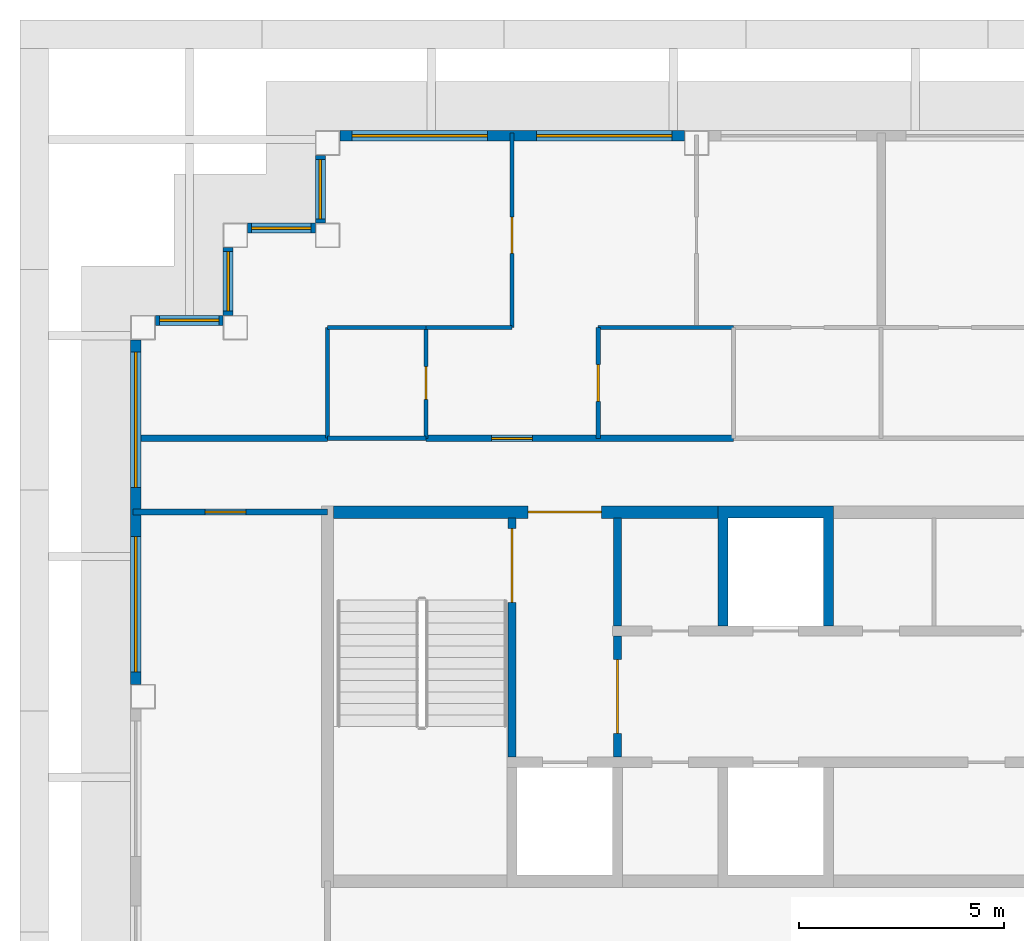
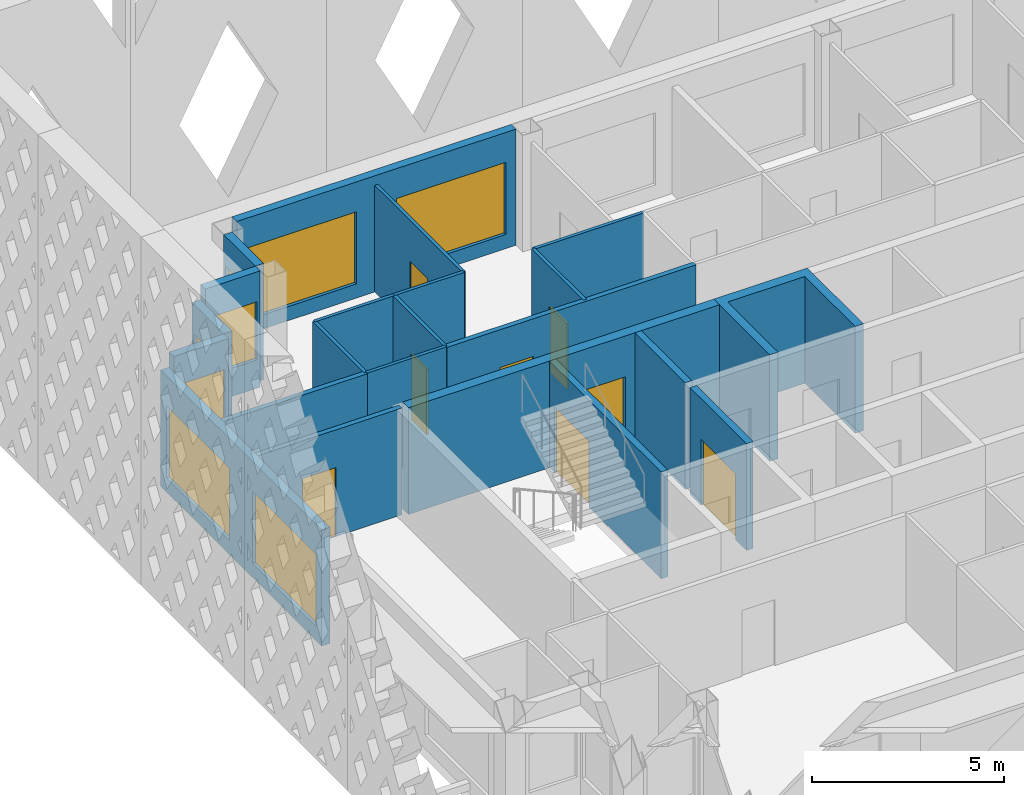
# One storey, part 3 of 13: 22 walls, 8 doors, 8 windows, 16 openings.
"""IFC4 building model written with IfcOpenShell, lengths in metres."""

from ifc_helpers import new_model, si_unit, direction, frame, frame_2d, origin, place, context, subcontext, project, spatial, polyline, rectangle, outline, extrude, material, layer, layer_set, type_object, element, fill, save


model = new_model("IFC4")

# Units and contexts
model_context = context("Model", 3, precision=1e-05, world=origin(), true_north=direction((0.0, 1.0)))
body_context = subcontext(model_context, "Body", "Model", "MODEL_VIEW")
ifc_project = project(units=[si_unit("LENGTHUNIT", "METRE"), si_unit("AREAUNIT", "SQUARE_METRE"), si_unit("VOLUMEUNIT", "CUBIC_METRE"), si_unit("PLANEANGLEUNIT", "RADIAN"), si_unit("MASSUNIT", "GRAM", prefix="KILO")], contexts=[model_context])

# Site, building, storey
site_placement = place(None, origin())
site = spatial("IfcSite", under=ifc_project, at=site_placement, CompositionType="ELEMENT")
building_placement = place(site_placement, origin())
building = spatial("IfcBuilding", under=site, at=building_placement, Name="Caravel Reach Hotel and Residences", CompositionType="ELEMENT")
storey_placement = place(building_placement, frame((0.0, 0.0, 283.39990234375)))
storey = spatial("IfcBuildingStorey", under=building, at=storey_placement, Name="L72", CompositionType="ELEMENT", Elevation=283.39990234375)

# Walls
ifc_material_1 = material(Name="Gypsum board on steel stud", Category="steel")
ifc_layer_1 = layer(ifc_material_1, 0.10009765625)
ifc_layer_set_1 = layer_set([ifc_layer_1], Name="Bathroom pod wall 100 mm")
wall_type_1 = type_object("IfcWallType", Name="Bathroom pod wall 100 mm", PredefinedType="PARTITIONING", material=ifc_layer_set_1)
for number, where, z_axis, x_axis, name in (
    (1, (18.0, 33.300048828125, 0.0), (0.0, 0.0, 1.0), (1.0, 0.0, 0.0), "L72 wall w053"),
    (2, (18.0, 36.0, 0.0), (0.0, 0.0, 1.0), (1.0, 0.0, 0.0), "L72 wall w058"),
):
    element("IfcWall", number, at=place(storey_placement, frame(where, z_axis=z_axis, x_axis=x_axis)), inside=storey, type_object=wall_type_1, Name=name, PredefinedType="PARTITIONING", context=body_context, shape_type="SweptSolid", body=[
        extrude(rectangle(XDim=2.39990234375, YDim=0.10009765625, at=frame_2d((1.199951171875, 0.0))), origin(), (0.0, 0.0, 1.0), 3.400146484375),
    ])
wall_1_placement = place(storey_placement, frame((18.0, 33.301025390625, 0.0), z_axis=(0.0, 0.0, 1.0), x_axis=(0.0, 1.0, 0.0)))
element("IfcWall", 3, at=wall_1_placement, inside=storey, type_object=wall_type_1, Name="L72 wall w063", PredefinedType="PARTITIONING", context=body_context, shape_type="SweptSolid", body=[
    extrude(rectangle(XDim=2.698974609375, YDim=0.10009765625, at=frame_2d((1.349609375, 0.0))), origin(), (0.0, 0.0, 1.0), 3.400146484375),
])

# Wall, opening, door
wall_2_placement = place(storey_placement, frame((20.39990234375, 33.300048828125, 0.0), z_axis=(0.0, 0.0, 1.0), x_axis=(0.0, 1.0, 0.0)))
wall_2 = element("IfcWall", 4, at=wall_2_placement, inside=storey, type_object=wall_type_1, Name="L72 wall w064", PredefinedType="PARTITIONING", context=body_context, shape_type="SweptSolid", body=[
    extrude(rectangle(XDim=2.699951171875, YDim=0.10009765625, at=frame_2d((1.35009765625, 0.0))), origin(), (0.0, 0.0, 1.0), 3.400146484375),
])
opening_1_placement = place(wall_2_placement, frame((0.949951171875, 0.0, 0.0)))
opening_1 = element("IfcOpeningElement", 5, at=opening_1_placement, cuts=wall_2, Name="Opening D72-017", PredefinedType="OPENING", context=body_context, shape_type="SweptSolid", body=[
    extrude(rectangle(XDim=0.800048828125, YDim=2.10009765625, at=frame_2d((0.39990234375, 1.050048828125))), frame((0.0, 0.06005859375, 0.0), z_axis=(0.0, -1.0, 0.0), x_axis=(1.0, 0.0, 0.0)), (0.0, 0.0, 1.0), 0.1201171875),
])
ifc_material_2 = material(Name="Timber and steel door leaf", Category="steel")
door_type_1 = type_object("IfcDoorType", Name="Bathroom door 800 x 2100", OperationType="SINGLE_SWING_LEFT", PredefinedType="DOOR", material=ifc_material_2)
door_1_placement = place(opening_1_placement, origin())
door_1 = element("IfcDoor", 6, at=door_1_placement, inside=storey, type_object=door_type_1, Name="door D72-017", OperationType="SINGLE_SWING_LEFT", OverallHeight=2.10009765625, OverallWidth=0.800048828125, PredefinedType="DOOR", context=body_context, shape_type="SweptSolid", body=[
    extrude(rectangle(XDim=0.800048828125, YDim=2.10009765625, at=frame_2d((0.39990234375, 1.050048828125))), frame((0.0, 0.02490234375, 0.0), z_axis=(0.0, -1.0, 0.0), x_axis=(1.0, 0.0, 0.0)), (0.0, 0.0, 1.0), 0.050048828125),
])
fill(opening_1, door_1)

# Wall
ifc_material_3 = material(Name="Autoclaved aerated block wall")
ifc_layer_2 = layer(ifc_material_3, 0.199951171875)
ifc_layer_set_2 = layer_set([ifc_layer_2], Name="Compartment wall 200 mm EI 120")
wall_type_2 = type_object("IfcWallType", Name="Compartment wall 200 mm EI 120", PredefinedType="PARTITIONING", material=ifc_layer_set_2)
wall_3_placement = place(storey_placement, frame((25.071533203125, 28.72509765625, 0.0), z_axis=(0.0, 0.0, 1.0), x_axis=(0.0, 1.0, 0.0)))
element("IfcWall", 7, at=wall_3_placement, inside=storey, type_object=wall_type_2, Name="L72 store partition", PredefinedType="PARTITIONING", context=body_context, shape_type="SweptSolid", body=[
    extrude(rectangle(XDim=2.625, YDim=0.199951171875, at=frame_2d((1.3125, 0.0))), origin(), (0.0, 0.0, 1.0), 3.400146484375),
])

# Wall, opening, door
ifc_material_4 = material(Name="Concrete C60", Category="concrete")
ifc_layer_3 = layer(ifc_material_4, 0.300048828125)
ifc_layer_set_3 = layer_set([ifc_layer_3], Name="Core wall 300 mm EI 120")
wall_type_3 = type_object("IfcWallType", Name="Core wall 300 mm EI 120", PredefinedType="SHEAR", material=ifc_layer_set_3)
wall_4_placement = place(storey_placement, frame((18.14990234375, 31.5, 0.0), z_axis=(0.0, 0.0, 1.0), x_axis=(1.0, 0.0, 0.0)))
wall_4 = element("IfcWall", 8, at=wall_4_placement, inside=storey, type_object=wall_type_3, Name="L72 core wall N1", PredefinedType="SHEAR", context=body_context, shape_type="SweptSolid", body=[
    extrude(rectangle(XDim=9.367919921875, YDim=0.300048828125, at=frame_2d((4.68408203125, 0.0))), origin(), (0.0, 0.0, 1.0), 3.400146484375),
])
opening_2_placement = place(wall_4_placement, frame((4.735595703125, 0.0, 0.0)))
opening_2 = element("IfcOpeningElement", 9, at=opening_2_placement, cuts=wall_4, Name="Opening D72-014", PredefinedType="OPENING", context=body_context, shape_type="SweptSolid", body=[
    extrude(rectangle(XDim=1.800048828125, YDim=2.10009765625, at=frame_2d((0.89990234375, 1.050048828125))), frame((0.0, 0.159912109375, 0.0), z_axis=(0.0, -1.0, 0.0), x_axis=(1.0, 0.0, 0.0)), (0.0, 0.0, 1.0), 0.320068359375),
])
ifc_material_5 = material(Name="Steel fire door leaf", Category="steel")
door_type_2 = type_object("IfcDoorType", Name="Fire lobby door pair 1800 x 2100 EI 90", OperationType="DOUBLE_DOOR_SINGLE_SWING", PredefinedType="DOOR", material=ifc_material_5)
door_2_placement = place(opening_2_placement, origin())
door_2 = element("IfcDoor", 10, at=door_2_placement, inside=storey, type_object=door_type_2, Name="lobby N door pair to corridor", OperationType="DOUBLE_DOOR_SINGLE_SWING", OverallHeight=2.10009765625, OverallWidth=1.800048828125, PredefinedType="DOOR", context=body_context, shape_type="SweptSolid", body=[
    extrude(rectangle(XDim=1.800048828125, YDim=2.10009765625, at=frame_2d((0.89990234375, 1.050048828125))), frame((0.0, 0.02490234375, 0.0), z_axis=(0.0, -1.0, 0.0), x_axis=(1.0, 0.0, 0.0)), (0.0, 0.0, 1.0), 0.050048828125),
])
fill(opening_2, door_2)

ifc_material_6 = material(Name="Gypsum board on steel stud, fire-rated", Category="steel")
ifc_layer_4 = layer(ifc_material_6, 0.14990234375)
ifc_layer_set_4 = layer_set([ifc_layer_4], Name="Corridor wall 150 mm EI 60")
wall_type_4 = type_object("IfcWallType", Name="Corridor wall 150 mm EI 60", PredefinedType="PARTITIONING", material=ifc_layer_set_4)
wall_5_placement = place(storey_placement, frame((13.260009765625, 31.5, 0.0), z_axis=(0.0, 0.0, 1.0), x_axis=(1.0, 0.0, 0.0)))
wall_5 = element("IfcWall", 11, at=wall_5_placement, inside=storey, type_object=wall_type_4, Name="L72 wall w008", PredefinedType="PARTITIONING", context=body_context, shape_type="SweptSolid", body=[
    extrude(rectangle(XDim=4.739990234375, YDim=0.14990234375, at=frame_2d((2.3701171875, 0.0))), origin(), (0.0, 0.0, 1.0), 3.400146484375),
])
opening_3_placement = place(wall_5_placement, frame((1.75, 0.0, 0.0)))
opening_3 = element("IfcOpeningElement", 12, at=opening_3_placement, cuts=wall_5, Name="Opening D72-037", PredefinedType="OPENING", context=body_context, shape_type="SweptSolid", body=[
    extrude(rectangle(XDim=1.0, YDim=2.199951171875, at=frame_2d((0.5, 1.10009765625))), frame((0.0, 0.0849609375, 0.0), z_axis=(0.0, -1.0, 0.0), x_axis=(1.0, 0.0, 0.0)), (0.0, 0.0, 1.0), 0.169921875),
])
ifc_material_7 = material(Name="Steel fire door leaf", Category="steel")
door_type_3 = type_object("IfcDoorType", Name="Flat entrance door 1000 x 2200 EI 60", OperationType="SINGLE_SWING_LEFT", PredefinedType="DOOR", material=ifc_material_7)
door_3_placement = place(opening_3_placement, origin())
door_3 = element("IfcDoor", 13, at=door_3_placement, inside=storey, type_object=door_type_3, Name="door D72-037", OperationType="SINGLE_SWING_LEFT", OverallHeight=2.199951171875, OverallWidth=1.0, PredefinedType="DOOR", context=body_context, shape_type="SweptSolid", body=[
    extrude(rectangle(XDim=1.0, YDim=2.199951171875, at=frame_2d((0.5, 1.10009765625))), frame((0.0, 0.02490234375, 0.0), z_axis=(0.0, -1.0, 0.0), x_axis=(1.0, 0.0, 0.0)), (0.0, 0.0, 1.0), 0.050048828125),
])
fill(opening_3, door_3)

# Wall
wall_6_placement = place(storey_placement, frame((13.449951171875, 33.300048828125, 0.0), z_axis=(0.0, 0.0, 1.0), x_axis=(1.0, 0.0, 0.0)))
element("IfcWall", 14, at=wall_6_placement, inside=storey, type_object=wall_type_4, Name="L72 wall w009", PredefinedType="PARTITIONING", context=body_context, shape_type="SweptSolid", body=[
    extrude(rectangle(XDim=4.549072265625, YDim=0.14990234375, at=frame_2d((2.2744140625, 0.0))), origin(), (0.0, 0.0, 1.0), 3.400146484375),
])

# Wall, opening, door
wall_7_placement = place(storey_placement, frame((20.39990234375, 33.300048828125, 0.0), z_axis=(0.0, 0.0, 1.0), x_axis=(1.0, 0.0, 0.0)))
wall_7 = element("IfcWall", 15, at=wall_7_placement, inside=storey, type_object=wall_type_4, Name="L72 wall w010", PredefinedType="PARTITIONING", context=body_context, shape_type="SweptSolid", body=[
    extrude(rectangle(XDim=7.5, YDim=0.14990234375, at=frame_2d((3.75, 0.0))), origin(), (0.0, 0.0, 1.0), 3.400146484375),
])
opening_4_placement = place(wall_7_placement, frame((1.60009765625, 0.0, 0.0)))
opening_4 = element("IfcOpeningElement", 16, at=opening_4_placement, cuts=wall_7, Name="Opening D72-016", PredefinedType="OPENING", context=body_context, shape_type="SweptSolid", body=[
    extrude(rectangle(XDim=1.0, YDim=2.199951171875, at=frame_2d((0.5, 1.10009765625))), frame((0.0, 0.0849609375, 0.0), z_axis=(0.0, -1.0, 0.0), x_axis=(1.0, 0.0, 0.0)), (0.0, 0.0, 1.0), 0.169921875),
])
door_4_placement = place(opening_4_placement, origin())
door_4 = element("IfcDoor", 17, at=door_4_placement, inside=storey, type_object=door_type_3, Name="door D72-016", OperationType="SINGLE_SWING_RIGHT", OverallHeight=2.199951171875, OverallWidth=1.0, PredefinedType="DOOR", context=body_context, shape_type="SweptSolid", body=[
    extrude(rectangle(XDim=1.0, YDim=2.199951171875, at=frame_2d((0.5, 1.10009765625))), frame((0.0, 0.02490234375, 0.0), z_axis=(0.0, -1.0, 0.0), x_axis=(1.0, 0.0, 0.0)), (0.0, 0.0, 1.0), 0.050048828125),
])
fill(opening_4, door_4)

# Wall, openings, windows
ifc_material_8 = material(Name="Insulated rainscreen wall, aluminium cladding", Category="aluminium")
ifc_layer_5 = layer(ifc_material_8, 0.25)
ifc_layer_set_5 = layer_set([ifc_layer_5], Name="EW1 Tower rainscreen wall")
wall_type_5 = type_object("IfcWallType", Name="EW1 Tower rainscreen wall", PredefinedType="SOLIDWALL", material=ifc_layer_set_5)
wall_8_placement = place(storey_placement, frame((26.699951171875, 40.675048828125, 0.0), z_axis=(0.0, 0.0, 1.0), x_axis=(-1.0, 0.0, 0.0)))
wall_8 = element("IfcWall", 18, at=wall_8_placement, inside=storey, type_object=wall_type_5, Name="External wall L72 N10.3", PredefinedType="SOLIDWALL", context=body_context, shape_type="SweptSolid", body=[
    extrude(rectangle(XDim=8.39990234375, YDim=0.25, at=frame_2d((4.199951171875, 0.0))), origin(), (0.0, 0.0, 1.0), 3.7001953125),
])
opening_5_placement = place(wall_8_placement, frame((0.300048828125, 0.0, 0.449951171875)))
opening_5 = element("IfcOpeningElement", 19, at=opening_5_placement, cuts=wall_8, Name="Opening WN15", PredefinedType="OPENING", context=body_context, shape_type="SweptSolid", body=[
    extrude(rectangle(XDim=3.300048828125, YDim=2.300048828125, at=frame_2d((1.64990234375, 1.14990234375))), frame((0.0, 0.135009765625, 0.0), z_axis=(0.0, -1.0, 0.0), x_axis=(1.0, 0.0, 0.0)), (0.0, 0.0, 1.0), 0.27001953125),
])
opening_6_placement = place(wall_8_placement, frame((4.800048828125, 0.0, 0.449951171875)))
opening_6 = element("IfcOpeningElement", 20, at=opening_6_placement, cuts=wall_8, Name="Opening WN15", PredefinedType="OPENING", context=body_context, shape_type="SweptSolid", body=[
    extrude(rectangle(XDim=3.300048828125, YDim=2.300048828125, at=frame_2d((1.64990234375, 1.14990234375))), frame((0.0, 0.135009765625, 0.0), z_axis=(0.0, -1.0, 0.0), x_axis=(1.0, 0.0, 0.0)), (0.0, 0.0, 1.0), 0.27001953125),
])
ifc_material_9 = material(Name="Dark low-e glazing in black aluminium frame", Category="aluminium")
window_type_1 = type_object("IfcWindowType", Name="Residence living window 3300 x 2300", PartitioningType="SINGLE_PANEL", PredefinedType="WINDOW", material=ifc_material_9)
window_1_placement = place(opening_5_placement, origin())
window_1 = element("IfcWindow", 21, at=window_1_placement, inside=storey, type_object=window_type_1, Name="Window L72 N10.3.1", OverallHeight=2.300048828125, OverallWidth=3.300048828125, PartitioningType="SINGLE_PANEL", PredefinedType="WINDOW", context=body_context, shape_type="SweptSolid", body=[
    extrude(rectangle(XDim=3.300048828125, YDim=2.300048828125, at=frame_2d((1.64990234375, 1.14990234375))), frame((0.0, 0.030029296875, 0.0), z_axis=(0.0, -1.0, 0.0), x_axis=(1.0, 0.0, 0.0)), (0.0, 0.0, 1.0), 0.06005859375),
])
fill(opening_5, window_1)
window_2_placement = place(opening_6_placement, origin())
window_2 = element("IfcWindow", 22, at=window_2_placement, inside=storey, type_object=window_type_1, Name="Window L72 N10.3.2", OverallHeight=2.300048828125, OverallWidth=3.300048828125, PartitioningType="SINGLE_PANEL", PredefinedType="WINDOW", context=body_context, shape_type="SweptSolid", body=[
    extrude(rectangle(XDim=3.300048828125, YDim=2.300048828125, at=frame_2d((1.64990234375, 1.14990234375))), frame((0.0, 0.030029296875, 0.0), z_axis=(0.0, -1.0, 0.0), x_axis=(1.0, 0.0, 0.0)), (0.0, 0.0, 1.0), 0.06005859375),
])
fill(opening_6, window_2)

# Wall, opening, window
wall_9_placement = place(storey_placement, frame((17.824951171875, 40.199951171875, 0.0), z_axis=(0.0, 0.0, 1.0), x_axis=(0.0, -1.0, 0.0)))
wall_9 = element("IfcWall", 23, at=wall_9_placement, inside=storey, type_object=wall_type_5, Name="External wall L72 W11.1", PredefinedType="SOLIDWALL", context=body_context, shape_type="SweptSolid", body=[
    extrude(rectangle(XDim=1.64990234375, YDim=0.25, at=frame_2d((0.824951171875, 0.0))), origin(), (0.0, 0.0, 1.0), 3.7001953125),
])
opening_7_placement = place(wall_9_placement, frame((0.10009765625, 0.0, 0.89990234375)))
opening_7 = element("IfcOpeningElement", 24, at=opening_7_placement, cuts=wall_9, Name="Opening WN25", PredefinedType="OPENING", context=body_context, shape_type="SweptSolid", body=[
    extrude(rectangle(XDim=1.449951171875, YDim=1.85009765625, at=frame_2d((0.72509765625, 0.925048828125))), frame((0.0, 0.135009765625, 0.0), z_axis=(0.0, -1.0, 0.0), x_axis=(1.0, 0.0, 0.0)), (0.0, 0.0, 1.0), 0.27001953125),
])
ifc_material_10 = material(Name="Dark low-e glazing in black aluminium frame", Category="aluminium")
window_type_2 = type_object("IfcWindowType", Name="Residence bedroom window 1450 x 1850", PartitioningType="SINGLE_PANEL", PredefinedType="WINDOW", material=ifc_material_10)
window_3_placement = place(opening_7_placement, origin())
window_3 = element("IfcWindow", 25, at=window_3_placement, inside=storey, type_object=window_type_2, Name="Window L72 W11.1.1", OverallHeight=1.85009765625, OverallWidth=1.449951171875, PartitioningType="SINGLE_PANEL", PredefinedType="WINDOW", context=body_context, shape_type="SweptSolid", body=[
    extrude(rectangle(XDim=1.449951171875, YDim=1.85009765625, at=frame_2d((0.72509765625, 0.925048828125))), frame((0.0, 0.030029296875, 0.0), z_axis=(0.0, -1.0, 0.0), x_axis=(1.0, 0.0, 0.0)), (0.0, 0.0, 1.0), 0.06005859375),
])
fill(opening_7, window_3)

wall_10_placement = place(storey_placement, frame((17.699951171875, 38.425048828125, 0.0), z_axis=(0.0, 0.0, 1.0), x_axis=(-1.0, 0.0, 0.0)))
wall_10 = element("IfcWall", 26, at=wall_10_placement, inside=storey, type_object=wall_type_5, Name="External wall L72 N12.1", PredefinedType="SOLIDWALL", context=body_context, shape_type="SweptSolid", body=[
    extrude(rectangle(XDim=1.64990234375, YDim=0.25, at=frame_2d((0.824951171875, 0.0))), origin(), (0.0, 0.0, 1.0), 3.7001953125),
])
opening_8_placement = place(wall_10_placement, frame((0.10009765625, 0.0, 0.89990234375)))
opening_8 = element("IfcOpeningElement", 27, at=opening_8_placement, cuts=wall_10, Name="Opening WN25", PredefinedType="OPENING", context=body_context, shape_type="SweptSolid", body=[
    extrude(rectangle(XDim=1.449951171875, YDim=1.85009765625, at=frame_2d((0.72509765625, 0.925048828125))), frame((0.0, 0.135009765625, 0.0), z_axis=(0.0, -1.0, 0.0), x_axis=(1.0, 0.0, 0.0)), (0.0, 0.0, 1.0), 0.27001953125),
])
window_4_placement = place(opening_8_placement, origin())
window_4 = element("IfcWindow", 28, at=window_4_placement, inside=storey, type_object=window_type_2, Name="Window L72 N12.1.1", OverallHeight=1.85009765625, OverallWidth=1.449951171875, PartitioningType="SINGLE_PANEL", PredefinedType="WINDOW", context=body_context, shape_type="SweptSolid", body=[
    extrude(rectangle(XDim=1.449951171875, YDim=1.85009765625, at=frame_2d((0.72509765625, 0.925048828125))), frame((0.0, 0.030029296875, 0.0), z_axis=(0.0, -1.0, 0.0), x_axis=(1.0, 0.0, 0.0)), (0.0, 0.0, 1.0), 0.06005859375),
])
fill(opening_8, window_4)

wall_11_placement = place(storey_placement, frame((15.574951171875, 37.949951171875, 0.0), z_axis=(0.0, 0.0, 1.0), x_axis=(0.0, -1.0, 0.0)))
wall_11 = element("IfcWall", 29, at=wall_11_placement, inside=storey, type_object=wall_type_5, Name="External wall L72 W13.1", PredefinedType="SOLIDWALL", context=body_context, shape_type="SweptSolid", body=[
    extrude(rectangle(XDim=1.64990234375, YDim=0.25, at=frame_2d((0.824951171875, 0.0))), origin(), (0.0, 0.0, 1.0), 3.7001953125),
])
opening_9_placement = place(wall_11_placement, frame((0.10009765625, 0.0, 0.89990234375)))
opening_9 = element("IfcOpeningElement", 30, at=opening_9_placement, cuts=wall_11, Name="Opening WN25", PredefinedType="OPENING", context=body_context, shape_type="SweptSolid", body=[
    extrude(rectangle(XDim=1.449951171875, YDim=1.85009765625, at=frame_2d((0.72509765625, 0.925048828125))), frame((0.0, 0.135009765625, 0.0), z_axis=(0.0, -1.0, 0.0), x_axis=(1.0, 0.0, 0.0)), (0.0, 0.0, 1.0), 0.27001953125),
])
window_5_placement = place(opening_9_placement, origin())
window_5 = element("IfcWindow", 31, at=window_5_placement, inside=storey, type_object=window_type_2, Name="Window L72 W13.1.1", OverallHeight=1.85009765625, OverallWidth=1.449951171875, PartitioningType="SINGLE_PANEL", PredefinedType="WINDOW", context=body_context, shape_type="SweptSolid", body=[
    extrude(rectangle(XDim=1.449951171875, YDim=1.85009765625, at=frame_2d((0.72509765625, 0.925048828125))), frame((0.0, 0.030029296875, 0.0), z_axis=(0.0, -1.0, 0.0), x_axis=(1.0, 0.0, 0.0)), (0.0, 0.0, 1.0), 0.06005859375),
])
fill(opening_9, window_5)

wall_12_placement = place(storey_placement, frame((15.449951171875, 36.175048828125, 0.0), z_axis=(0.0, 0.0, 1.0), x_axis=(-1.0, 0.0, 0.0)))
wall_12 = element("IfcWall", 32, at=wall_12_placement, inside=storey, type_object=wall_type_5, Name="External wall L72 N14.1", PredefinedType="SOLIDWALL", context=body_context, shape_type="SweptSolid", body=[
    extrude(rectangle(XDim=1.64990234375, YDim=0.25, at=frame_2d((0.824951171875, 0.0))), origin(), (0.0, 0.0, 1.0), 3.7001953125),
])
opening_10_placement = place(wall_12_placement, frame((0.10009765625, 0.0, 0.89990234375)))
opening_10 = element("IfcOpeningElement", 33, at=opening_10_placement, cuts=wall_12, Name="Opening WN25", PredefinedType="OPENING", context=body_context, shape_type="SweptSolid", body=[
    extrude(rectangle(XDim=1.449951171875, YDim=1.85009765625, at=frame_2d((0.72509765625, 0.925048828125))), frame((0.0, 0.135009765625, 0.0), z_axis=(0.0, -1.0, 0.0), x_axis=(1.0, 0.0, 0.0)), (0.0, 0.0, 1.0), 0.27001953125),
])
window_6_placement = place(opening_10_placement, origin())
window_6 = element("IfcWindow", 34, at=window_6_placement, inside=storey, type_object=window_type_2, Name="Window L72 N14.1.1", OverallHeight=1.85009765625, OverallWidth=1.449951171875, PartitioningType="SINGLE_PANEL", PredefinedType="WINDOW", context=body_context, shape_type="SweptSolid", body=[
    extrude(rectangle(XDim=1.449951171875, YDim=1.85009765625, at=frame_2d((0.72509765625, 0.925048828125))), frame((0.0, 0.030029296875, 0.0), z_axis=(0.0, -1.0, 0.0), x_axis=(1.0, 0.0, 0.0)), (0.0, 0.0, 1.0), 0.06005859375),
])
fill(opening_10, window_6)

# Wall, openings, windows
wall_13_placement = place(storey_placement, frame((13.324951171875, 35.699951171875, 0.0), z_axis=(0.0, 0.0, 1.0), x_axis=(0.0, -1.0, 0.0)))
wall_13 = element("IfcWall", 35, at=wall_13_placement, inside=storey, type_object=wall_type_5, Name="External wall L72 W15.1", PredefinedType="SOLIDWALL", context=body_context, shape_type="SweptSolid", body=[
    extrude(rectangle(XDim=8.39990234375, YDim=0.25, at=frame_2d((4.199951171875, 0.0))), origin(), (0.0, 0.0, 1.0), 3.7001953125),
])
opening_11_placement = place(wall_13_placement, frame((0.300048828125, 0.0, 0.449951171875)))
opening_11 = element("IfcOpeningElement", 36, at=opening_11_placement, cuts=wall_13, Name="Opening WN15", PredefinedType="OPENING", context=body_context, shape_type="SweptSolid", body=[
    extrude(rectangle(XDim=3.300048828125, YDim=2.300048828125, at=frame_2d((1.64990234375, 1.14990234375))), frame((0.0, 0.135009765625, 0.0), z_axis=(0.0, -1.0, 0.0), x_axis=(1.0, 0.0, 0.0)), (0.0, 0.0, 1.0), 0.27001953125),
])
opening_12_placement = place(wall_13_placement, frame((4.800048828125, 0.0, 0.449951171875)))
opening_12 = element("IfcOpeningElement", 37, at=opening_12_placement, cuts=wall_13, Name="Opening WN15", PredefinedType="OPENING", context=body_context, shape_type="SweptSolid", body=[
    extrude(rectangle(XDim=3.300048828125, YDim=2.300048828125, at=frame_2d((1.64990234375, 1.14990234375))), frame((0.0, 0.135009765625, 0.0), z_axis=(0.0, -1.0, 0.0), x_axis=(1.0, 0.0, 0.0)), (0.0, 0.0, 1.0), 0.27001953125),
])
window_7_placement = place(opening_11_placement, origin())
window_7 = element("IfcWindow", 38, at=window_7_placement, inside=storey, type_object=window_type_1, Name="Window L72 W15.1.1", OverallHeight=2.300048828125, OverallWidth=3.300048828125, PartitioningType="SINGLE_PANEL", PredefinedType="WINDOW", context=body_context, shape_type="SweptSolid", body=[
    extrude(rectangle(XDim=3.300048828125, YDim=2.300048828125, at=frame_2d((1.64990234375, 1.14990234375))), frame((0.0, 0.030029296875, 0.0), z_axis=(0.0, -1.0, 0.0), x_axis=(1.0, 0.0, 0.0)), (0.0, 0.0, 1.0), 0.06005859375),
])
fill(opening_11, window_7)
window_8_placement = place(opening_12_placement, origin())
window_8 = element("IfcWindow", 39, at=window_8_placement, inside=storey, type_object=window_type_1, Name="Window L72 W15.1.2", OverallHeight=2.300048828125, OverallWidth=3.300048828125, PartitioningType="SINGLE_PANEL", PredefinedType="WINDOW", context=body_context, shape_type="SweptSolid", body=[
    extrude(rectangle(XDim=3.300048828125, YDim=2.300048828125, at=frame_2d((1.64990234375, 1.14990234375))), frame((0.0, 0.030029296875, 0.0), z_axis=(0.0, -1.0, 0.0), x_axis=(1.0, 0.0, 0.0)), (0.0, 0.0, 1.0), 0.06005859375),
])
fill(opening_12, window_8)

# Wall, opening, door
ifc_material_11 = material(Name="Autoclaved aerated block wall")
ifc_layer_6 = layer(ifc_material_11, 0.199951171875)
ifc_layer_set_6 = layer_set([ifc_layer_6], Name="Fire lobby wall 200 mm EI 120")
wall_type_6 = type_object("IfcWallType", Name="Fire lobby wall 200 mm EI 120", PredefinedType="PARTITIONING", material=ifc_layer_set_6)
wall_14_placement = place(storey_placement, frame((25.071533203125, 25.52490234375, 0.0), z_axis=(0.0, 0.0, 1.0), x_axis=(0.0, 1.0, 0.0)))
wall_14 = element("IfcWall", 40, at=wall_14_placement, inside=storey, type_object=wall_type_6, Name="L72 lobby W wall", PredefinedType="PARTITIONING", context=body_context, shape_type="SweptSolid", body=[
    extrude(rectangle(XDim=2.9501953125, YDim=0.199951171875, at=frame_2d((1.47509765625, 0.0))), origin(), (0.0, 0.0, 1.0), 3.400146484375),
])
opening_13_placement = place(wall_14_placement, frame((0.574951171875, 0.0, 0.0)))
opening_13 = element("IfcOpeningElement", 41, at=opening_13_placement, cuts=wall_14, Name="Opening D72-012", PredefinedType="OPENING", context=body_context, shape_type="SweptSolid", body=[
    extrude(rectangle(XDim=1.800048828125, YDim=2.10009765625, at=frame_2d((0.89990234375, 1.050048828125))), frame((0.0, 0.10986328125, 0.0), z_axis=(0.0, -1.0, 0.0), x_axis=(1.0, 0.0, 0.0)), (0.0, 0.0, 1.0), 0.219970703125),
])
door_5_placement = place(opening_13_placement, origin())
door_5 = element("IfcDoor", 42, at=door_5_placement, inside=storey, type_object=door_type_2, Name="lobby W door pair", OperationType="DOUBLE_DOOR_SINGLE_SWING", OverallHeight=2.10009765625, OverallWidth=1.800048828125, PredefinedType="DOOR", context=body_context, shape_type="SweptSolid", body=[
    extrude(rectangle(XDim=1.800048828125, YDim=2.10009765625, at=frame_2d((0.89990234375, 1.050048828125))), frame((0.0, 0.02490234375, 0.0), z_axis=(0.0, -1.0, 0.0), x_axis=(1.0, 0.0, 0.0)), (0.0, 0.0, 1.0), 0.050048828125),
])
fill(opening_13, door_5)

# Walls
ifc_material_12 = material(Name="Gypsum board on steel stud", Category="steel")
ifc_layer_7 = layer(ifc_material_12, 0.10009765625)
ifc_layer_set_7 = layer_set([ifc_layer_7], Name="Partition 100 mm")
wall_type_7 = type_object("IfcWallType", Name="Partition 100 mm", PredefinedType="PARTITIONING", material=ifc_layer_set_7)
wall_15_placement = place(storey_placement, frame((20.39990234375, 36.0, 0.0), z_axis=(0.0, 0.0, 1.0), x_axis=(1.0, 0.0, 0.0)))
element("IfcWall", 43, at=wall_15_placement, inside=storey, type_object=wall_type_7, Name="L72 wall w023", PredefinedType="PARTITIONING", context=body_context, shape_type="SweptSolid", body=[
    extrude(rectangle(XDim=2.10009765625, YDim=0.10009765625, at=frame_2d((1.050048828125, 0.0))), origin(), (0.0, 0.0, 1.0), 3.400146484375),
])
wall_16_placement = place(storey_placement, frame((24.60009765625, 36.0, 0.0), z_axis=(0.0, 0.0, 1.0), x_axis=(1.0, 0.0, 0.0)))
element("IfcWall", 44, at=wall_16_placement, inside=storey, type_object=wall_type_7, Name="L72 wall w025", PredefinedType="PARTITIONING", context=body_context, shape_type="SweptSolid", body=[
    extrude(rectangle(XDim=3.2998046875, YDim=0.10009765625, at=frame_2d((1.64990234375, 0.0))), origin(), (0.0, 0.0, 1.0), 3.400146484375),
])

# Wall, opening, door
wall_17_placement = place(storey_placement, frame((22.5, 36.0, 0.0), z_axis=(0.0, 0.0, 1.0), x_axis=(0.0, 1.0, 0.0)))
wall_17 = element("IfcWall", 45, at=wall_17_placement, inside=storey, type_object=wall_type_7, Name="L72 wall w032", PredefinedType="PARTITIONING", context=body_context, shape_type="SweptSolid", body=[
    extrude(rectangle(XDim=4.739990234375, YDim=0.10009765625, at=frame_2d((2.3701171875, 0.0))), origin(), (0.0, 0.0, 1.0), 3.400146484375),
])
opening_14_placement = place(wall_17_placement, frame((1.800048828125, 0.0, 0.0)))
opening_14 = element("IfcOpeningElement", 46, at=opening_14_placement, cuts=wall_17, Name="Opening D72-020", PredefinedType="OPENING", context=body_context, shape_type="SweptSolid", body=[
    extrude(rectangle(XDim=0.89990234375, YDim=2.10009765625, at=frame_2d((0.449951171875, 1.050048828125))), frame((0.0, 0.06005859375, 0.0), z_axis=(0.0, -1.0, 0.0), x_axis=(1.0, 0.0, 0.0)), (0.0, 0.0, 1.0), 0.1201171875),
])
ifc_material_13 = material(Name="Timber and steel door leaf", Category="steel")
door_type_4 = type_object("IfcDoorType", Name="Door 900 x 2100 timber", OperationType="SINGLE_SWING_LEFT", PredefinedType="DOOR", material=ifc_material_13)
door_6_placement = place(opening_14_placement, origin())
door_6 = element("IfcDoor", 47, at=door_6_placement, inside=storey, type_object=door_type_4, Name="door D72-020", OperationType="SINGLE_SWING_RIGHT", OverallHeight=2.10009765625, OverallWidth=0.89990234375, PredefinedType="DOOR", context=body_context, shape_type="SweptSolid", body=[
    extrude(rectangle(XDim=0.89990234375, YDim=2.10009765625, at=frame_2d((0.449951171875, 1.050048828125))), frame((0.0, 0.02490234375, 0.0), z_axis=(0.0, -1.0, 0.0), x_axis=(1.0, 0.0, 0.0)), (0.0, 0.0, 1.0), 0.050048828125),
])
fill(opening_14, door_6)

wall_18_placement = place(storey_placement, frame((24.60009765625, 33.300048828125, 0.0), z_axis=(0.0, 0.0, 1.0), x_axis=(0.0, 1.0, 0.0)))
wall_18 = element("IfcWall", 48, at=wall_18_placement, inside=storey, type_object=wall_type_7, Name="L72 wall w033", PredefinedType="PARTITIONING", context=body_context, shape_type="SweptSolid", body=[
    extrude(rectangle(XDim=2.699951171875, YDim=0.10009765625, at=frame_2d((1.35009765625, 0.0))), origin(), (0.0, 0.0, 1.0), 3.400146484375),
])
opening_15_placement = place(wall_18_placement, frame((0.89990234375, 0.0, 0.0)))
opening_15 = element("IfcOpeningElement", 49, at=opening_15_placement, cuts=wall_18, Name="Opening D72-018", PredefinedType="OPENING", context=body_context, shape_type="SweptSolid", body=[
    extrude(rectangle(XDim=0.89990234375, YDim=2.10009765625, at=frame_2d((0.449951171875, 1.050048828125))), frame((0.0, 0.06005859375, 0.0), z_axis=(0.0, -1.0, 0.0), x_axis=(1.0, 0.0, 0.0)), (0.0, 0.0, 1.0), 0.1201171875),
])
door_7_placement = place(opening_15_placement, origin())
door_7 = element("IfcDoor", 50, at=door_7_placement, inside=storey, type_object=door_type_4, Name="door D72-018", OperationType="SINGLE_SWING_LEFT", OverallHeight=2.10009765625, OverallWidth=0.89990234375, PredefinedType="DOOR", context=body_context, shape_type="SweptSolid", body=[
    extrude(rectangle(XDim=0.89990234375, YDim=2.10009765625, at=frame_2d((0.449951171875, 1.050048828125))), frame((0.0, 0.02490234375, 0.0), z_axis=(0.0, -1.0, 0.0), x_axis=(1.0, 0.0, 0.0)), (0.0, 0.0, 1.0), 0.050048828125),
])
fill(opening_15, door_7)

# Wall
ifc_material_14 = material(Name="Concrete C60", Category="concrete")
ifc_layer_8 = layer(ifc_material_14, 0.25)
ifc_layer_set_8 = layer_set([ifc_layer_8], Name="Shaft wall 250 mm EI 120")
wall_type_8 = type_object("IfcWallType", Name="Shaft wall 250 mm EI 120", PredefinedType="SHEAR", material=ifc_layer_set_8)
wall_19_placement = place(storey_placement, origin())
element("IfcWall", 51, at=wall_19_placement, inside=storey, type_object=wall_type_8, Name="L72 lift shaft wall N1", PredefinedType="SHEAR", context=body_context, shape_type="SweptSolid", body=[
    extrude(outline(polyline([(27.517822265625, 28.72509765625), (27.767822265625, 28.72509765625), (27.767822265625, 31.35009765625), (30.08935546875, 31.35009765625), (30.08935546875, 28.72509765625), (30.33935546875, 28.72509765625), (30.33935546875, 31.64990234375), (27.517822265625, 31.64990234375), (27.517822265625, 28.72509765625)])), origin(), (0.0, 0.0, 1.0), 3.400146484375),
])

# Wall, opening, door
ifc_material_15 = material(Name="Concrete C60", Category="concrete")
ifc_layer_9 = layer(ifc_material_15, 0.199951171875)
ifc_layer_set_9 = layer_set([ifc_layer_9], Name="Stair enclosure wall 200 mm EI 120")
wall_type_9 = type_object("IfcWallType", Name="Stair enclosure wall 200 mm EI 120", PredefinedType="SHEAR", material=ifc_layer_set_9)
wall_20_placement = place(storey_placement, frame((22.5, 31.35009765625, 0.0), z_axis=(0.0, 0.0, 1.0), x_axis=(0.0, -1.0, 0.0)))
wall_20 = element("IfcWall", 52, at=wall_20_placement, inside=storey, type_object=wall_type_9, Name="L72 stair A wall", PredefinedType="SHEAR", context=body_context, shape_type="SweptSolid", body=[
    extrude(rectangle(XDim=5.8251953125, YDim=0.199951171875, at=frame_2d((2.91259765625, 0.0))), origin(), (0.0, 0.0, 1.0), 3.400146484375),
])
opening_16_placement = place(wall_20_placement, frame((0.25, 0.0, 0.0)))
opening_16 = element("IfcOpeningElement", 53, at=opening_16_placement, cuts=wall_20, Name="Opening D72-010", PredefinedType="OPENING", context=body_context, shape_type="SweptSolid", body=[
    extrude(rectangle(XDim=1.800048828125, YDim=2.10009765625, at=frame_2d((0.89990234375, 1.050048828125))), frame((0.0, 0.10986328125, 0.0), z_axis=(0.0, -1.0, 0.0), x_axis=(1.0, 0.0, 0.0)), (0.0, 0.0, 1.0), 0.219970703125),
])
ifc_material_16 = material(Name="Steel fire door leaf", Category="steel")
door_type_5 = type_object("IfcDoorType", Name="Stair door pair 1800 x 2100 EI 90", OperationType="DOUBLE_DOOR_SINGLE_SWING", PredefinedType="DOOR", material=ifc_material_16)
door_8_placement = place(opening_16_placement, origin())
door_8 = element("IfcDoor", 54, at=door_8_placement, inside=storey, type_object=door_type_5, Name="stair A door pair", OperationType="DOUBLE_DOOR_SINGLE_SWING", OverallHeight=2.10009765625, OverallWidth=1.800048828125, PredefinedType="DOOR", context=body_context, shape_type="SweptSolid", body=[
    extrude(rectangle(XDim=1.800048828125, YDim=2.10009765625, at=frame_2d((0.89990234375, 1.050048828125))), frame((0.0, 0.02490234375, 0.0), z_axis=(0.0, -1.0, 0.0), x_axis=(1.0, 0.0, 0.0)), (0.0, 0.0, 1.0), 0.050048828125),
])
fill(opening_16, door_8)

save(model, "model.ifc")
